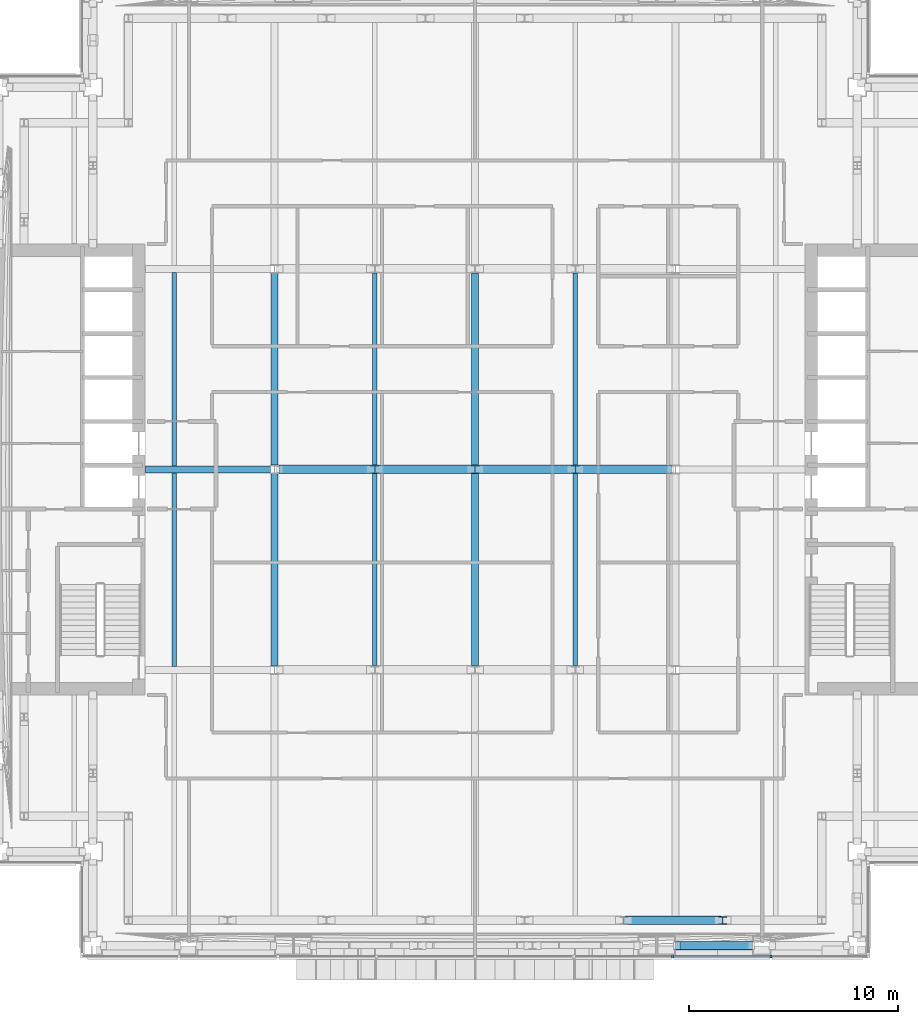
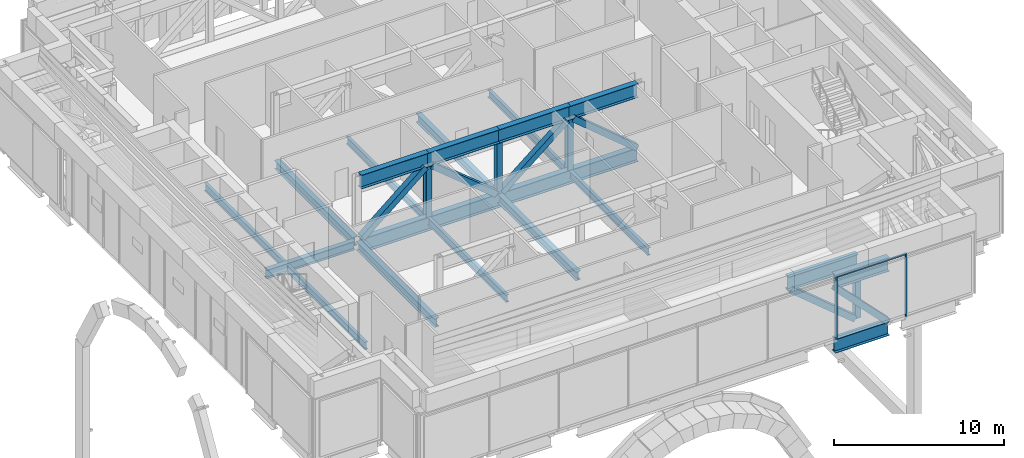
# One storey, part 4 of 38: 21 members, 11 beams, 1 element without a shape of its own.
"""IFC4 building model written with IfcOpenShell, lengths in metres."""

from ifc_helpers import new_model, si_unit, direction, frame, origin, origin_2d, place, context, subcontext, project, spatial, rectangle, hollow_rectangle, i_section, extrude, material, material_profile, profile_set, type_object, element, aggregate, save


model = new_model("IFC4")

# Units and contexts
model_context = context("Model", 3, precision=1e-05, world=origin(), true_north=direction((0.0, 1.0)))
body_context = subcontext(model_context, "Body", "Model", "MODEL_VIEW")
ifc_project = project(units=[si_unit("LENGTHUNIT", "METRE"), si_unit("AREAUNIT", "SQUARE_METRE"), si_unit("VOLUMEUNIT", "CUBIC_METRE"), si_unit("PLANEANGLEUNIT", "RADIAN"), si_unit("MASSUNIT", "GRAM", prefix="KILO")], contexts=[model_context])

# Site, building, storey
site_placement = place(None, origin())
site = spatial("IfcSite", under=ifc_project, at=site_placement, CompositionType="ELEMENT")
building_placement = place(site_placement, origin())
building = spatial("IfcBuilding", under=site, at=building_placement, Name="Cobrizo Arcos Hotel Tower", CompositionType="ELEMENT")
storey_placement = place(building_placement, frame((0.0, 0.0, 138.0)))
storey = spatial("IfcBuildingStorey", under=building, at=storey_placement, Name="L35", CompositionType="ELEMENT", Elevation=138.0)

# Curtain wall, members
ifc_material_1 = material(Name="Aluminium 6063-T6 anodised bronze", Category="aluminium")
curtain_wall_type = type_object("IfcCurtainWallType", Name="CW-D plant louvre wall", PredefinedType="NOTDEFINED", material=ifc_material_1)
curtain_wall_placement = place(storey_placement, origin())
curtain_wall = element("IfcCurtainWall", 1, at=curtain_wall_placement, inside=storey, type_object=curtain_wall_type, Name="CW-D L35 S face", PredefinedType="NOTDEFINED")
ifc_material_profile_1 = material_profile(ifc_material_1, rectangle(XDim=0.14990234375, YDim=0.10009765625, at=origin_2d()), Name="CW-D mullion 150x100")
ifc_profile_set_1 = profile_set([ifc_material_profile_1], Name="Aluminium 6063-T6 anodised bronze")
member_type_1 = type_object("IfcMemberType", Name="CW-D mullion 150x100", PredefinedType="MULLION", material=ifc_profile_set_1)
member_1_placement = place(storey_placement, frame((9.449951171875, -23.324951171875, 0.0), z_axis=(0.0, 0.0, 1.0), x_axis=(0.0, -1.0, 0.0)))
member_1 = element("IfcMember", 2, at=member_1_placement, type_object=member_type_1, Name="CW-D mullion 7", PredefinedType="MULLION", context=body_context, shape_type="SweptSolid", body=[
    extrude(rectangle(XDim=0.14990234375, YDim=0.10009765625, at=origin_2d()), origin(), (0.0, 0.0, 1.0), 4.5),
])
member_2_placement = place(storey_placement, frame((14.175048828125, -23.324951171875, 0.0), z_axis=(0.0, 0.0, 1.0), x_axis=(0.0, -1.0, 0.0)))
member_2 = element("IfcMember", 3, at=member_2_placement, type_object=member_type_1, Name="CW-D mullion 8", PredefinedType="MULLION", context=body_context, shape_type="SweptSolid", body=[
    extrude(rectangle(XDim=0.14990234375, YDim=0.10009765625, at=origin_2d()), origin(), (0.0, 0.0, 1.0), 4.5),
])
ifc_material_profile_2 = material_profile(ifc_material_1, rectangle(XDim=0.10009765625, YDim=0.10009765625, at=origin_2d()), Name="CW-D transom 100x100")
ifc_profile_set_2 = profile_set([ifc_material_profile_2], Name="Aluminium 6063-T6 anodised bronze")
member_type_2 = type_object("IfcMemberType", Name="CW-D transom 100x100", PredefinedType="USERDEFINED", material=ifc_profile_set_2)
member_3_placement = place(storey_placement, frame((9.5, -23.324951171875, 4.449951171875), z_axis=(1.0, 0.0, 0.0), x_axis=(0.0, 1.0, 0.0)))
member_3 = element("IfcMember", 4, at=member_3_placement, type_object=member_type_2, Name="CW-D transom 1281", ObjectType="TRANSOM", PredefinedType="USERDEFINED", context=body_context, shape_type="SweptSolid", body=[
    extrude(rectangle(XDim=0.10009765625, YDim=0.10009765625, at=origin_2d()), origin(), (0.0, 0.0, 1.0), 4.625),
])
aggregate(curtain_wall, [member_1, member_2, member_3])

# Members
ifc_material_2 = material(Name="Steel ASTM A500 Grade C", Category="steel")
ifc_material_profile_3 = material_profile(ifc_material_2, hollow_rectangle(XDim=0.406494140625, YDim=0.406494140625, WallThickness=0.014892578125, at=origin_2d()), Name="HSS16X16X5/8")
ifc_profile_set_3 = profile_set([ifc_material_profile_3], Name="Steel ASTM A500 Grade C")
member_type_3 = type_object("IfcMemberType", Name="HSS16X16X5/8 truss diagonal", PredefinedType="BRACE", material=ifc_profile_set_3)
member_4_placement = place(storey_placement, frame((9.679931640625, -22.800048828125, 3.309326171875), z_axis=(0.697692612805, 0.0, -0.716397248764), x_axis=(0.0, 1.0, 0.0)))
element("IfcMember", 5, at=member_4_placement, inside=storey, type_object=member_type_3, Name="Belt truss diagonal TD1, L35, no. 006", PredefinedType="BRACE", context=body_context, shape_type="SweptSolid", body=[
    extrude(hollow_rectangle(XDim=0.406494140625, YDim=0.406494140625, WallThickness=0.014892578125, at=origin_2d()), origin(), (0.0, 0.0, 1.0), 5.038330078125),
])
member_5_placement = place(storey_placement, frame((7.31396484375, -21.60009765625, 3.309326171875), z_axis=(0.769074628043, 0.0, -0.639158991567), x_axis=(0.0, 1.0, 0.0)))
element("IfcMember", 6, at=member_5_placement, inside=storey, type_object=member_type_3, Name="Belt truss diagonal TD1, L35, no. 036", PredefinedType="BRACE", context=body_context, shape_type="SweptSolid", body=[
    extrude(hollow_rectangle(XDim=0.406494140625, YDim=0.406494140625, WallThickness=0.014892578125, at=origin_2d()), origin(), (0.0, 0.0, 1.0), 5.64697265625),
])
member_6_placement = place(storey_placement, frame((-9.320556640625, 0.0, -0.300048828125), z_axis=(0.767442262329, 0.0, 0.641118065563), x_axis=(0.0, 1.0, 0.0)))
element("IfcMember", 7, at=member_6_placement, inside=storey, type_object=member_type_3, Name="Outrigger diagonal TD1, L35, no. 017", PredefinedType="BRACE", context=body_context, shape_type="SweptSolid", body=[
    extrude(hollow_rectangle(XDim=0.406494140625, YDim=0.406494140625, WallThickness=0.014892578125, at=origin_2d()), origin(), (0.0, 0.0, 1.0), 5.6298828125),
])
for number, where, z_axis, x_axis, name in (
    (8, (-4.60009765625, 0.0, 3.309326171875), (0.773159666007, 0.0, -0.634211424416), (0.0, 1.0, 0.0), "Outrigger diagonal TD1, L35, no. 018"),
    (9, (0.199951171875, 0.0, -0.300048828125), (0.773159666007, 0.0, 0.634211424416), (0.0, 1.0, 0.0), "Outrigger diagonal TD1, L35, no. 019"),
):
    element("IfcMember", number, at=place(storey_placement, frame(where, z_axis=z_axis, x_axis=x_axis)), inside=storey, type_object=member_type_3, Name=name, PredefinedType="BRACE", context=body_context, shape_type="SweptSolid", body=[
        extrude(hollow_rectangle(XDim=0.406494140625, YDim=0.406494140625, WallThickness=0.014892578125, at=origin_2d()), origin(), (0.0, 0.0, 1.0), 5.691162109375),
    ])
member_7_placement = place(storey_placement, frame((5.0, 0.0, 3.309326171875), z_axis=(0.767442262329, 0.0, -0.641118065563), x_axis=(0.0, 1.0, 0.0)))
element("IfcMember", 10, at=member_7_placement, inside=storey, type_object=member_type_3, Name="Outrigger diagonal TD1, L35, no. 020", PredefinedType="BRACE", context=body_context, shape_type="SweptSolid", body=[
    extrude(hollow_rectangle(XDim=0.406494140625, YDim=0.406494140625, WallThickness=0.014892578125, at=origin_2d()), origin(), (0.0, 0.0, 1.0), 5.6298828125),
])
ifc_material_3 = material(Name="Steel ASTM A992 Grade 50", Category="steel")
ifc_material_profile_4 = material_profile(ifc_material_3, i_section(OverallWidth=0.373291015625, OverallDepth=0.373291015625, WebThickness=0.016357421875, FlangeThickness=0.026123046875, at=origin_2d()), Name="W14X132")
ifc_profile_set_4 = profile_set([ifc_material_profile_4], Name="Steel ASTM A992 Grade 50")
member_type_4 = type_object("IfcMemberType", Name="W14X132 truss post", PredefinedType="POST", material=ifc_profile_set_4)
for number, where, z_axis, x_axis, name in (
    (11, (11.85693359375, -21.60009765625, -0.300048828125), (0.0, 0.0, 1.0), (1.0, 0.0, 0.0), "Truss post TP1, L35, no. 011"),
    (12, (-4.800048828125, 0.0, -0.300048828125), (0.0, 0.0, 1.0), (1.0, 0.0, 0.0), "Truss post TP1, L35, no. 040"),
    (13, (0.0, 0.0, -0.300048828125), (0.0, 0.0, 1.0), (1.0, 0.0, 0.0), "Truss post TP1, L35, no. 041"),
    (14, (4.800048828125, 0.0, -0.300048828125), (0.0, 0.0, 1.0), (1.0, 0.0, 0.0), "Truss post TP1, L35, no. 042"),
):
    element("IfcMember", number, at=place(storey_placement, frame(where, z_axis=z_axis, x_axis=x_axis)), inside=storey, type_object=member_type_4, Name=name, PredefinedType="POST", context=body_context, shape_type="SweptSolid", body=[
        extrude(i_section(OverallWidth=0.373291015625, OverallDepth=0.373291015625, WebThickness=0.016357421875, FlangeThickness=0.026123046875, at=origin_2d()), origin(), (0.0, 0.0, 1.0), 3.609375),
    ])

# Beams
ifc_material_profile_5 = material_profile(ifc_material_3, i_section(OverallWidth=0.209228515625, OverallDepth=0.533447265625, WebThickness=0.01025390625, FlangeThickness=0.015625, at=origin_2d()), Name="W21X62")
ifc_profile_set_5 = profile_set([ifc_material_profile_5], Name="Steel ASTM A992 Grade 50")
beam_type_1 = type_object("IfcBeamType", Name="W21X62 joist", PredefinedType="JOIST", material=ifc_profile_set_5)
for number, where, z_axis, x_axis, name in (
    (15, (-14.39990234375, -9.43603515625, -0.566650390625), (0.0, 1.0, 0.0), (-1.0, 0.0, 0.0), "Floor joist J1, L35, no. 006"),
    (16, (-14.39990234375, 0.163818359375, -0.566650390625), (0.0, 1.0, 0.0), (-1.0, 0.0, 0.0), "Floor joist J1, L35, no. 007"),
):
    element("IfcBeam", number, at=place(storey_placement, frame(where, z_axis=z_axis, x_axis=x_axis)), inside=storey, type_object=beam_type_1, Name=name, PredefinedType="JOIST", context=body_context, shape_type="SweptSolid", body=[
        extrude(i_section(OverallWidth=0.209228515625, OverallDepth=0.533447265625, WebThickness=0.01025390625, FlangeThickness=0.015625, at=origin_2d()), origin(), (0.0, 0.0, 1.0), 9.272216796875),
    ])
for number, where, z_axis, x_axis, name in (
    (17, (-4.800048828125, -9.3994140625, -0.566650390625), (0.0, 1.0, 0.0), (-1.0, 0.0, 0.0), "Floor joist J1, L35, no. 010"),
    (18, (-4.800048828125, 0.200439453125, -0.566650390625), (0.0, 1.0, 0.0), (-1.0, 0.0, 0.0), "Floor joist J1, L35, no. 011"),
    (19, (4.800048828125, -9.3994140625, -0.566650390625), (0.0, 1.0, 0.0), (-1.0, 0.0, 0.0), "Floor joist J1, L35, no. 014"),
    (20, (4.800048828125, 0.200439453125, -0.566650390625), (0.0, 1.0, 0.0), (-1.0, 0.0, 0.0), "Floor joist J1, L35, no. 015"),
):
    element("IfcBeam", number, at=place(storey_placement, frame(where, z_axis=z_axis, x_axis=x_axis)), inside=storey, type_object=beam_type_1, Name=name, PredefinedType="JOIST", context=body_context, shape_type="SweptSolid", body=[
        extrude(i_section(OverallWidth=0.209228515625, OverallDepth=0.533447265625, WebThickness=0.01025390625, FlangeThickness=0.015625, at=origin_2d()), origin(), (0.0, 0.0, 1.0), 9.198974609375),
    ])
ifc_material_profile_6 = material_profile(ifc_material_3, i_section(OverallWidth=0.32763671875, OverallDepth=0.622314453125, WebThickness=0.015380859375, FlangeThickness=0.0244140625, at=origin_2d()), Name="W24X131")
ifc_profile_set_6 = profile_set([ifc_material_profile_6], Name="Steel ASTM A992 Grade 50")
beam_type_2 = type_object("IfcBeamType", Name="W24X131 girder", PredefinedType="BEAM", material=ifc_profile_set_6)
beam_placement = place(storey_placement, frame((-15.7900390625, 0.0, -0.611083984375), z_axis=(1.0, 0.0, 0.0), x_axis=(0.0, 1.0, 0.0)))
element("IfcBeam", 21, at=beam_placement, inside=storey, type_object=beam_type_2, Name="Floor girder G1, L35, no. 003", PredefinedType="BEAM", context=body_context, shape_type="SweptSolid", body=[
    extrude(i_section(OverallWidth=0.32763671875, OverallDepth=0.622314453125, WebThickness=0.015380859375, FlangeThickness=0.0244140625, at=origin_2d()), origin(), (0.0, 0.0, 1.0), 5.99072265625),
])
for number, where, z_axis, x_axis, name in (
    (22, (-9.60009765625, -9.3994140625, -0.611083984375), (0.0, 1.0, 0.0), (-1.0, 0.0, 0.0), "Floor girder G1, L35, no. 008"),
    (23, (-9.60009765625, 0.200439453125, -0.611083984375), (0.0, 1.0, 0.0), (-1.0, 0.0, 0.0), "Floor girder G1, L35, no. 009"),
    (24, (0.0, -9.3994140625, -0.611083984375), (0.0, 1.0, 0.0), (-1.0, 0.0, 0.0), "Floor girder G1, L35, no. 012"),
    (25, (0.0, 0.200439453125, -0.611083984375), (0.0, 1.0, 0.0), (-1.0, 0.0, 0.0), "Floor girder G1, L35, no. 013"),
):
    element("IfcBeam", number, at=place(storey_placement, frame(where, z_axis=z_axis, x_axis=x_axis)), inside=storey, type_object=beam_type_2, Name=name, PredefinedType="BEAM", context=body_context, shape_type="SweptSolid", body=[
        extrude(i_section(OverallWidth=0.32763671875, OverallDepth=0.622314453125, WebThickness=0.015380859375, FlangeThickness=0.0244140625, at=origin_2d()), origin(), (0.0, 0.0, 1.0), 9.198974609375),
    ])

# Members
ifc_material_profile_7 = material_profile(ifc_material_3, i_section(OverallWidth=0.4013671875, OverallDepth=0.990478515625, WebThickness=0.0166015625, FlangeThickness=0.025390625, at=origin_2d()), Name="W40X215")
ifc_profile_set_7 = profile_set([ifc_material_profile_7], Name="Steel ASTM A992 Grade 50")
member_type_5 = type_object("IfcMemberType", Name="W40X215 belt truss chord", PredefinedType="CHORD", material=ifc_profile_set_7)
for number, where, z_axis, x_axis, name in (
    (26, (9.60009765625, -22.800048828125, -0.79541015625), (1.0, 0.0, 0.0), (0.0, 1.0, 0.0), "Belt truss bottom chord TC1, L35, no. 004"),
    (27, (9.60009765625, -22.800048828125, 3.8046875), (1.0, 0.0, 0.0), (0.0, 1.0, 0.0), "Belt truss top chord TC1, L35, no. 006"),
):
    element("IfcMember", number, at=place(storey_placement, frame(where, z_axis=z_axis, x_axis=x_axis)), inside=storey, type_object=member_type_5, Name=name, PredefinedType="CHORD", context=body_context, shape_type="SweptSolid", body=[
        extrude(i_section(OverallWidth=0.4013671875, OverallDepth=0.990478515625, WebThickness=0.0166015625, FlangeThickness=0.025390625, at=origin_2d()), origin(), (0.0, 0.0, 1.0), 3.6748046875),
    ])
member_8_placement = place(storey_placement, frame((7.114013671875, -21.60009765625, 3.8046875), z_axis=(1.0, 0.0, 0.0), x_axis=(0.0, 1.0, 0.0)))
element("IfcMember", 28, at=member_8_placement, inside=storey, type_object=member_type_5, Name="Belt truss top chord TC1, L35, no. 036", PredefinedType="CHORD", context=body_context, shape_type="SweptSolid", body=[
    extrude(i_section(OverallWidth=0.4013671875, OverallDepth=0.990478515625, WebThickness=0.0166015625, FlangeThickness=0.025390625, at=origin_2d()), origin(), (0.0, 0.0, 1.0), 4.742919921875),
])
member_9_placement = place(storey_placement, frame((-9.400634765625, 0.0, -0.79541015625), z_axis=(1.0, 0.0, 0.0), x_axis=(0.0, 1.0, 0.0)))
element("IfcMember", 29, at=member_9_placement, inside=storey, type_object=member_type_5, Name="Outrigger bottom chord TC1, L35, no. 010", PredefinedType="CHORD", context=body_context, shape_type="SweptSolid", body=[
    extrude(i_section(OverallWidth=0.4013671875, OverallDepth=0.990478515625, WebThickness=0.0166015625, FlangeThickness=0.025390625, at=origin_2d()), origin(), (0.0, 0.0, 1.0), 18.80126953125),
])
member_10_placement = place(storey_placement, frame((-9.400634765625, 0.0, 3.8046875), z_axis=(1.0, 0.0, 0.0), x_axis=(0.0, 1.0, 0.0)))
element("IfcMember", 30, at=member_10_placement, inside=storey, type_object=member_type_5, Name="Outrigger top chord TC1, L35, no. 017", PredefinedType="CHORD", context=body_context, shape_type="SweptSolid", body=[
    extrude(i_section(OverallWidth=0.4013671875, OverallDepth=0.990478515625, WebThickness=0.0166015625, FlangeThickness=0.025390625, at=origin_2d()), origin(), (0.0, 0.0, 1.0), 4.6005859375),
])
for number, where, z_axis, x_axis, name in (
    (31, (-4.800048828125, 0.0, 3.8046875), (1.0, 0.0, 0.0), (0.0, 1.0, 0.0), "Outrigger top chord TC1, L35, no. 018"),
    (32, (0.0, 0.0, 3.8046875), (1.0, 0.0, 0.0), (0.0, 1.0, 0.0), "Outrigger top chord TC1, L35, no. 019"),
):
    element("IfcMember", number, at=place(storey_placement, frame(where, z_axis=z_axis, x_axis=x_axis)), inside=storey, type_object=member_type_5, Name=name, PredefinedType="CHORD", context=body_context, shape_type="SweptSolid", body=[
        extrude(i_section(OverallWidth=0.4013671875, OverallDepth=0.990478515625, WebThickness=0.0166015625, FlangeThickness=0.025390625, at=origin_2d()), origin(), (0.0, 0.0, 1.0), 4.800048828125),
    ])
member_11_placement = place(storey_placement, frame((4.800048828125, 0.0, 3.8046875), z_axis=(1.0, 0.0, 0.0), x_axis=(0.0, 1.0, 0.0)))
element("IfcMember", 33, at=member_11_placement, inside=storey, type_object=member_type_5, Name="Outrigger top chord TC1, L35, no. 020", PredefinedType="CHORD", context=body_context, shape_type="SweptSolid", body=[
    extrude(i_section(OverallWidth=0.4013671875, OverallDepth=0.990478515625, WebThickness=0.0166015625, FlangeThickness=0.025390625, at=origin_2d()), origin(), (0.0, 0.0, 1.0), 4.6005859375),
])

save(model, "model.ifc")
